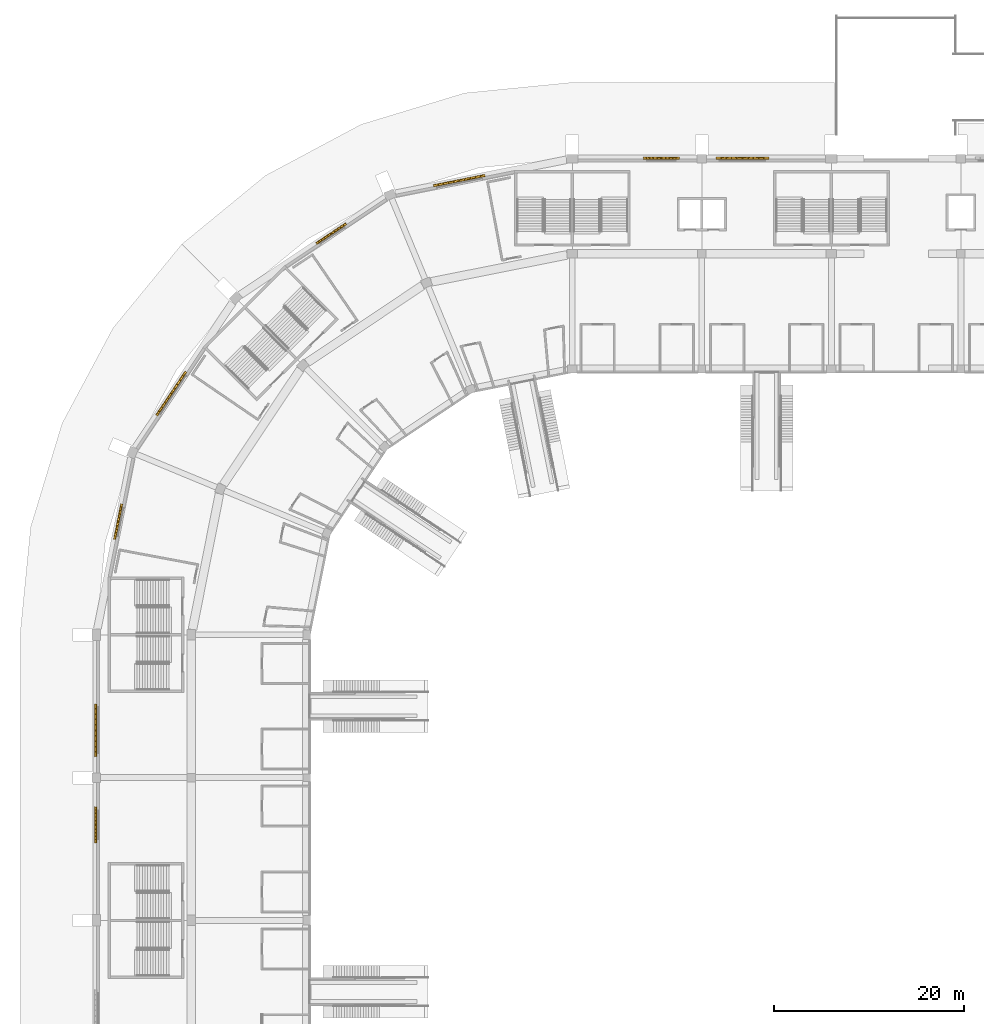
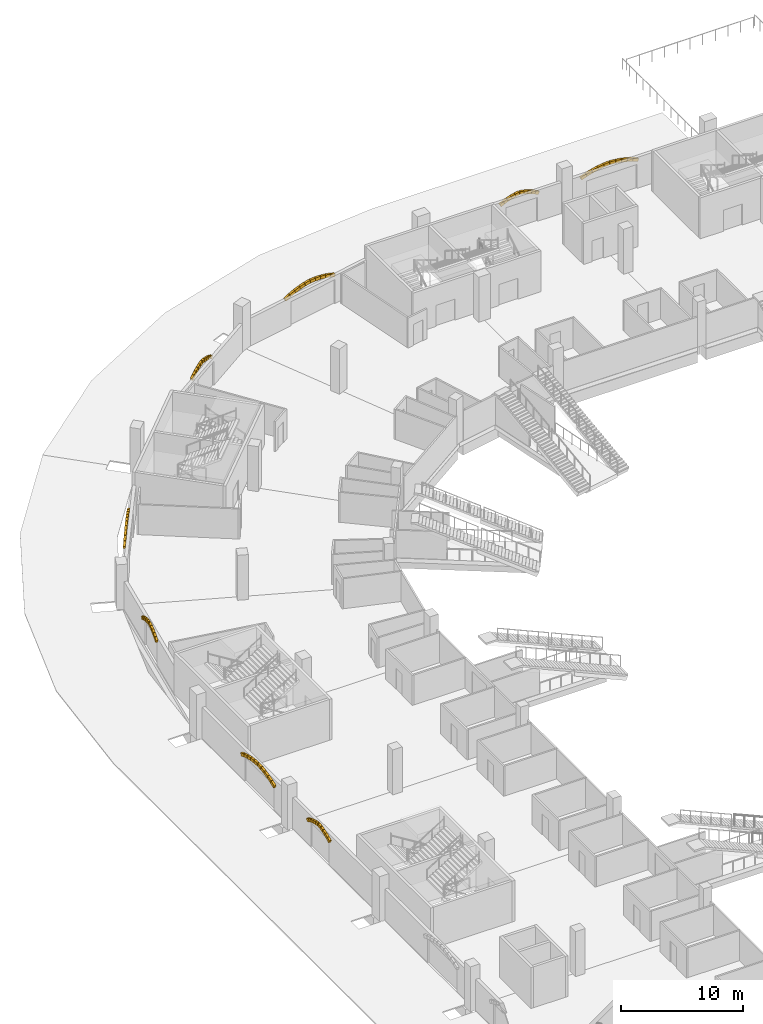
# One storey, part 173 of 175: 80 coverings.
"""IFC4 building model written with IfcOpenShell, lengths in metres."""

from ifc_helpers import new_model, si_unit, direction, frame, origin, origin_2d, place, context, subcontext, project, spatial, rectangle, extrude, material, material_profile, profile_set, type_object, element, save


model = new_model("IFC4")

# Units and contexts
model_context = context("Model", 3, precision=1e-05, world=origin(), true_north=direction((0.0, 1.0)))
body_context = subcontext(model_context, "Body", "Model", "MODEL_VIEW")
ifc_project = project(units=[si_unit("LENGTHUNIT", "METRE"), si_unit("AREAUNIT", "SQUARE_METRE"), si_unit("VOLUMEUNIT", "CUBIC_METRE"), si_unit("PLANEANGLEUNIT", "RADIAN"), si_unit("MASSUNIT", "GRAM", prefix="KILO")], contexts=[model_context])

# Site, building, storey
site_placement = place(None, origin())
site = spatial("IfcSite", under=ifc_project, at=site_placement, CompositionType="ELEMENT")
building_placement = place(site_placement, origin())
building = spatial("IfcBuilding", under=site, at=building_placement, Name="Ogive Plaza Stadium", CompositionType="ELEMENT")
storey_placement = place(building_placement, origin())
storey = spatial("IfcBuildingStorey", under=building, at=storey_placement, Name="L00", CompositionType="ELEMENT", Elevation=0.0)

# Coverings
ifc_material = material(Name="Cast stone (reconstituted limestone)", Category="masonry")
ifc_material_profile = material_profile(ifc_material, rectangle(XDim=0.199951171875, YDim=0.300048828125, at=origin_2d()), Name="Cast stone 200x300")
ifc_profile_set = profile_set([ifc_material_profile], Name="Cast stone (reconstituted limestone)")
covering_type = type_object("IfcCoveringType", Name="Portal arch rib 200x300", PredefinedType="MOLDING", material=ifc_profile_set)
covering_1_placement = place(storey_placement, frame((-84.050048828125, 30.718017578125, 2.532958984375), z_axis=(0.0, 0.885870063545, 0.463933433279), x_axis=(-1.0, 0.0, 0.0)))
element("IfcCovering", 1, at=covering_1_placement, inside=storey, type_object=covering_type, Name="PORTAL ARCH B26 1", PredefinedType="MOLDING", context=body_context, shape_type="SweptSolid", body=[
    extrude(rectangle(XDim=0.199951171875, YDim=0.300048828125, at=origin_2d()), origin(), (0.0, 0.0, 1.0), 0.3720703125),
])
covering_2_placement = place(storey_placement, frame((-84.050048828125, 31.057861328125, 2.71044921875), z_axis=(0.0, 0.918771491846, 0.394789748816), x_axis=(-1.0, 0.0, 0.0)))
element("IfcCovering", 2, at=covering_2_placement, inside=storey, type_object=covering_type, Name="PORTAL ARCH B26 2", PredefinedType="MOLDING", context=body_context, shape_type="SweptSolid", body=[
    extrude(rectangle(XDim=0.199951171875, YDim=0.300048828125, at=origin_2d()), origin(), (0.0, 0.0, 1.0), 0.372314453125),
])
for number, where, z_axis, x_axis, name in (
    (3, (-84.050048828125, 31.410400390625, 2.861572265625), (0.0, 0.946026425691, 0.324089496735), (-1.0, 0.0, 0.0), "PORTAL ARCH B26 3"),
    (4, (-84.050048828125, 31.7734375, 2.985595703125), (0.0, 0.96790236306, 0.2513265119), (-1.0, 0.0, 0.0), "PORTAL ARCH B26 4"),
):
    element("IfcCovering", number, at=place(storey_placement, frame(where, z_axis=z_axis, x_axis=x_axis)), inside=storey, type_object=covering_type, Name=name, PredefinedType="MOLDING", context=body_context, shape_type="SweptSolid", body=[
        extrude(rectangle(XDim=0.199951171875, YDim=0.300048828125, at=origin_2d()), origin(), (0.0, 0.0, 1.0), 0.3720703125),
    ])
covering_3_placement = place(storey_placement, frame((-84.050048828125, 32.14453125, 3.08154296875), z_axis=(0.0, 0.984089453269, 0.177673712083), x_axis=(-1.0, 0.0, 0.0)))
element("IfcCovering", 5, at=covering_3_placement, inside=storey, type_object=covering_type, Name="PORTAL ARCH B26 5", PredefinedType="MOLDING", context=body_context, shape_type="SweptSolid", body=[
    extrude(rectangle(XDim=0.199951171875, YDim=0.300048828125, at=origin_2d()), origin(), (0.0, 0.0, 1.0), 0.372314453125),
])
covering_4_placement = place(storey_placement, frame((-84.050048828125, 32.564208984375, 3.147705078125), z_axis=(0.0, 0.984068736563, -0.177788418406), x_axis=(-1.0, 0.0, 0.0)))
element("IfcCovering", 6, at=covering_4_placement, inside=storey, type_object=covering_type, Name="PORTAL ARCH B26 6", PredefinedType="MOLDING", context=body_context, shape_type="SweptSolid", body=[
    extrude(rectangle(XDim=0.199951171875, YDim=0.300048828125, at=origin_2d()), origin(), (0.0, 0.0, 1.0), 0.3720703125),
])
covering_5_placement = place(storey_placement, frame((-84.050048828125, 32.94140625, 3.0791015625), z_axis=(0.0, 0.967943772802, -0.251166981696), x_axis=(-1.0, 0.0, 0.0)))
element("IfcCovering", 7, at=covering_5_placement, inside=storey, type_object=covering_type, Name="PORTAL ARCH B26 7", PredefinedType="MOLDING", context=body_context, shape_type="SweptSolid", body=[
    extrude(rectangle(XDim=0.199951171875, YDim=0.300048828125, at=origin_2d()), origin(), (0.0, 0.0, 1.0), 0.372314453125),
])
for number, where, z_axis, x_axis, name in (
    (8, (-84.050048828125, 33.3125, 2.982177734375), (0.0, 0.946026425691, -0.324089496735), (-1.0, 0.0, 0.0), "PORTAL ARCH B26 8"),
    (9, (-84.050048828125, 33.67529296875, 2.857421875), (0.0, 0.91866918758, -0.395027750659), (-1.0, 0.0, 0.0), "PORTAL ARCH B26 9"),
):
    element("IfcCovering", number, at=place(storey_placement, frame(where, z_axis=z_axis, x_axis=x_axis)), inside=storey, type_object=covering_type, Name=name, PredefinedType="MOLDING", context=body_context, shape_type="SweptSolid", body=[
        extrude(rectangle(XDim=0.199951171875, YDim=0.300048828125, at=origin_2d()), origin(), (0.0, 0.0, 1.0), 0.3720703125),
    ])
covering_6_placement = place(storey_placement, frame((-84.050048828125, 34.02734375, 2.70556640625), z_axis=(0.0, 0.886011177193, -0.463663880293), x_axis=(-1.0, 0.0, 0.0)))
element("IfcCovering", 10, at=covering_6_placement, inside=storey, type_object=covering_type, Name="PORTAL ARCH B26 10", PredefinedType="MOLDING", context=body_context, shape_type="SweptSolid", body=[
    extrude(rectangle(XDim=0.199951171875, YDim=0.300048828125, at=origin_2d()), origin(), (0.0, 0.0, 1.0), 0.372314453125),
])
covering_7_placement = place(storey_placement, frame((-84.050048828125, 39.75830078125, 2.539794921875), z_axis=(0.0, 0.932339785038, 0.361583358627), x_axis=(-1.0, 0.0, 0.0)))
element("IfcCovering", 11, at=covering_7_placement, inside=storey, type_object=covering_type, Name="PORTAL ARCH B27 1", PredefinedType="MOLDING", context=body_context, shape_type="SweptSolid", body=[
    extrude(rectangle(XDim=0.199951171875, YDim=0.300048828125, at=origin_2d()), origin(), (0.0, 0.0, 1.0), 0.546142578125),
])
covering_8_placement = place(storey_placement, frame((-84.050048828125, 40.278076171875, 2.740966796875), z_axis=(0.0, 0.956375841274, 0.292139093972), x_axis=(-1.0, 0.0, 0.0)))
element("IfcCovering", 12, at=covering_8_placement, inside=storey, type_object=covering_type, Name="PORTAL ARCH B27 2", PredefinedType="MOLDING", context=body_context, shape_type="SweptSolid", body=[
    extrude(rectangle(XDim=0.199951171875, YDim=0.300048828125, at=origin_2d()), origin(), (0.0, 0.0, 1.0), 0.546630859375),
])
covering_9_placement = place(storey_placement, frame((-84.050048828125, 40.811279296875, 2.9033203125), z_axis=(0.0, 0.975242447538, 0.221138347014), x_axis=(-1.0, 0.0, 0.0)))
element("IfcCovering", 13, at=covering_9_placement, inside=storey, type_object=covering_type, Name="PORTAL ARCH B27 3", PredefinedType="MOLDING", context=body_context, shape_type="SweptSolid", body=[
    extrude(rectangle(XDim=0.199951171875, YDim=0.300048828125, at=origin_2d()), origin(), (0.0, 0.0, 1.0), 0.54638671875),
])
covering_10_placement = place(storey_placement, frame((-84.050048828125, 41.35498046875, 3.026123046875), z_axis=(0.0, 0.988942904622, 0.148296767992), x_axis=(-1.0, 0.0, 0.0)))
element("IfcCovering", 14, at=covering_10_placement, inside=storey, type_object=covering_type, Name="PORTAL ARCH B27 4", PredefinedType="MOLDING", context=body_context, shape_type="SweptSolid", body=[
    extrude(rectangle(XDim=0.199951171875, YDim=0.300048828125, at=origin_2d()), origin(), (0.0, 0.0, 1.0), 0.546630859375),
])
for number, where, z_axis, x_axis, name in (
    (15, (-84.050048828125, 41.906494140625, 3.1083984375), (0.0, 0.997143198104, 0.075534379417), (-1.0, 0.0, 0.0), "PORTAL ARCH B27 5"),
    (16, (-84.050048828125, 42.473876953125, 3.149658203125), (0.0, 0.997143198104, -0.075534379417), (-1.0, 0.0, 0.0), "PORTAL ARCH B27 6"),
):
    element("IfcCovering", number, at=place(storey_placement, frame(where, z_axis=z_axis, x_axis=x_axis)), inside=storey, type_object=covering_type, Name=name, PredefinedType="MOLDING", context=body_context, shape_type="SweptSolid", body=[
        extrude(rectangle(XDim=0.199951171875, YDim=0.300048828125, at=origin_2d()), origin(), (0.0, 0.0, 1.0), 0.546142578125),
    ])
for number, where, z_axis, x_axis, name in (
    (17, (-84.050048828125, 43.029541015625, 3.107177734375), (0.0, 0.988933074819, -0.148362304944), (-1.0, 0.0, 0.0), "PORTAL ARCH B27 7"),
    (18, (-84.050048828125, 43.580810546875, 3.024169921875), (0.0, 0.975242447538, -0.221138347014), (-1.0, 0.0, 0.0), "PORTAL ARCH B27 8"),
):
    element("IfcCovering", number, at=place(storey_placement, frame(where, z_axis=z_axis, x_axis=x_axis)), inside=storey, type_object=covering_type, Name=name, PredefinedType="MOLDING", context=body_context, shape_type="SweptSolid", body=[
        extrude(rectangle(XDim=0.199951171875, YDim=0.300048828125, at=origin_2d()), origin(), (0.0, 0.0, 1.0), 0.54638671875),
    ])
covering_11_placement = place(storey_placement, frame((-84.050048828125, 44.124267578125, 2.900634765625), z_axis=(0.0, 0.956375841274, -0.292139093972), x_axis=(-1.0, 0.0, 0.0)))
element("IfcCovering", 19, at=covering_11_placement, inside=storey, type_object=covering_type, Name="PORTAL ARCH B27 9", PredefinedType="MOLDING", context=body_context, shape_type="SweptSolid", body=[
    extrude(rectangle(XDim=0.199951171875, YDim=0.300048828125, at=origin_2d()), origin(), (0.0, 0.0, 1.0), 0.546630859375),
])
covering_12_placement = place(storey_placement, frame((-84.050048828125, 44.6572265625, 2.7373046875), z_axis=(0.0, 0.932398184034, -0.361432741199), x_axis=(-1.0, 0.0, 0.0)))
element("IfcCovering", 20, at=covering_12_placement, inside=storey, type_object=covering_type, Name="PORTAL ARCH B27 10", PredefinedType="MOLDING", context=body_context, shape_type="SweptSolid", body=[
    extrude(rectangle(XDim=0.199951171875, YDim=0.300048828125, at=origin_2d()), origin(), (0.0, 0.0, 1.0), 0.54638671875),
])
covering_13_placement = place(storey_placement, frame((-82.0439453125, 62.589599609375, 2.532958984375), z_axis=(0.172495438518, 0.86903595451, 0.463704467803), x_axis=(-0.980864363446, 0.194692322707, 0.0)))
element("IfcCovering", 21, at=covering_13_placement, inside=storey, type_object=covering_type, Name="PORTAL ARCH B28 1", PredefinedType="MOLDING", context=body_context, shape_type="SweptSolid", body=[
    extrude(rectangle(XDim=0.199951171875, YDim=0.300048828125, at=origin_2d()), origin(), (0.0, 0.0, 1.0), 0.372314453125),
])
for number, where, z_axis, x_axis, name in (
    (22, (-81.977783203125, 62.923095703125, 2.71044921875), (0.179788748999, 0.90091223495, 0.395010317145), (-0.980663002383, 0.195704051459, 0.0), "PORTAL ARCH B28 2"),
    (23, (-81.908935546875, 63.268798828125, 2.861572265625), (0.184390466473, 0.927858076845, 0.324159752448), (-0.980820050121, 0.194915441361, 0.0), "PORTAL ARCH B28 3"),
    (24, (-81.838134765625, 63.624755859375, 2.985595703125), (0.18894115676, 0.949298103584, 0.251265496664), (-0.980762733237, 0.195203640064, 0.0), "PORTAL ARCH B28 4"),
    (25, (-81.765625, 63.989013671875, 3.08154296875), (0.191602287307, 0.965229330918, 0.177822670754), (-0.980861768578, 0.194705395258, 0.0), "PORTAL ARCH B28 5"),
    (26, (-81.683837890625, 64.400390625, 3.147705078125), (0.192234251186, 0.965107793495, -0.177800280107), (-0.980734230685, 0.19534679102, 0.0), "PORTAL ARCH B28 6"),
    (27, (-81.6103515625, 64.7705078125, 3.0791015625), (0.18894115676, 0.949298103584, -0.251265496664), (-0.980762733237, 0.195203640064, 0.0), "PORTAL ARCH B28 7"),
    (28, (-81.537841796875, 65.134521484375, 2.982177734375), (0.184390466473, 0.927858076845, -0.324159752448), (-0.980820050121, 0.194915441361, 0.0), "PORTAL ARCH B28 8"),
):
    element("IfcCovering", number, at=place(storey_placement, frame(where, z_axis=z_axis, x_axis=x_axis)), inside=storey, type_object=covering_type, Name=name, PredefinedType="MOLDING", context=body_context, shape_type="SweptSolid", body=[
        extrude(rectangle(XDim=0.199951171875, YDim=0.300048828125, at=origin_2d()), origin(), (0.0, 0.0, 1.0), 0.3720703125),
    ])
for number, where, z_axis, x_axis, name in (
    (29, (-81.467041015625, 65.489990234375, 2.857421875), (0.179047807757, 0.901141713766, -0.394823370951), (-0.98082699853, 0.194880473507, 0.0), "PORTAL ARCH B28 9"),
    (30, (-81.3984375, 65.83544921875, 2.70556640625), (0.173131691217, 0.868937465388, -0.463651915494), (-0.98072275744, 0.195404383369, 0.0), "PORTAL ARCH B28 10"),
):
    element("IfcCovering", number, at=place(storey_placement, frame(where, z_axis=z_axis, x_axis=x_axis)), inside=storey, type_object=covering_type, Name=name, PredefinedType="MOLDING", context=body_context, shape_type="SweptSolid", body=[
        extrude(rectangle(XDim=0.199951171875, YDim=0.300048828125, at=origin_2d()), origin(), (0.0, 0.0, 1.0), 0.372314453125),
    ])
covering_14_placement = place(storey_placement, frame((-77.6201171875, 75.576416015625, 2.539794921875), z_axis=(0.518233953801, 0.77511716366, 0.361423507436), x_axis=(-0.831312417178, 0.55580542013, 0.0)))
element("IfcCovering", 31, at=covering_14_placement, inside=storey, type_object=covering_type, Name="PORTAL ARCH B29 1", PredefinedType="MOLDING", context=body_context, shape_type="SweptSolid", body=[
    extrude(rectangle(XDim=0.199951171875, YDim=0.300048828125, at=origin_2d()), origin(), (0.0, 0.0, 1.0), 0.54638671875),
])
covering_15_placement = place(storey_placement, frame((-77.331298828125, 76.008544921875, 2.740966796875), z_axis=(0.531535251305, 0.795069535565, 0.292121054079), x_axis=(-0.831331073324, 0.555777515312, 0.0)))
element("IfcCovering", 32, at=covering_15_placement, inside=storey, type_object=covering_type, Name="PORTAL ARCH B29 2", PredefinedType="MOLDING", context=body_context, shape_type="SweptSolid", body=[
    extrude(rectangle(XDim=0.199951171875, YDim=0.300048828125, at=origin_2d()), origin(), (0.0, 0.0, 1.0), 0.546630859375),
])
for number, where, z_axis, x_axis, name in (
    (33, (-77.034912109375, 76.451904296875, 2.9033203125), (0.54189495829, 0.81083210989, 0.22113602997), (-0.831415485573, 0.555651230854, 0.0), "PORTAL ARCH B29 3"),
    (34, (-76.73291015625, 76.904052734375, 3.026123046875), (0.549593466086, 0.822156079348, 0.148345553448), (-0.831354528555, 0.555742429414, 0.0), "PORTAL ARCH B29 4"),
    (35, (-76.426513671875, 77.362548828125, 3.1083984375), (0.55414679151, 0.828985724395, 0.075524844972), (-0.831360155258, 0.55573401214, 0.0), "PORTAL ARCH B29 5"),
):
    element("IfcCovering", number, at=place(storey_placement, frame(where, z_axis=z_axis, x_axis=x_axis)), inside=storey, type_object=covering_type, Name=name, PredefinedType="MOLDING", context=body_context, shape_type="SweptSolid", body=[
        extrude(rectangle(XDim=0.199951171875, YDim=0.300048828125, at=origin_2d()), origin(), (0.0, 0.0, 1.0), 0.54638671875),
    ])
covering_16_placement = place(storey_placement, frame((-76.111328125, 77.834228515625, 3.149658203125), z_axis=(0.553941556835, 0.829125427005, -0.075496873472), x_axis=(-0.831498491688, 0.555527009533, 0.0)))
element("IfcCovering", 36, at=covering_16_placement, inside=storey, type_object=covering_type, Name="PORTAL ARCH B29 6", PredefinedType="MOLDING", context=body_context, shape_type="SweptSolid", body=[
    extrude(rectangle(XDim=0.199951171875, YDim=0.300048828125, at=origin_2d()), origin(), (0.0, 0.0, 1.0), 0.546630859375),
])
covering_17_placement = place(storey_placement, frame((-75.802490234375, 78.29638671875, 3.107177734375), z_axis=(0.549281491744, 0.82235796974, -0.148381981496), x_axis=(-0.831563273147, 0.555430034075, 0.0)))
element("IfcCovering", 37, at=covering_17_placement, inside=storey, type_object=covering_type, Name="PORTAL ARCH B29 7", PredefinedType="MOLDING", context=body_context, shape_type="SweptSolid", body=[
    extrude(rectangle(XDim=0.199951171875, YDim=0.300048828125, at=origin_2d()), origin(), (0.0, 0.0, 1.0), 0.546142578125),
])
for number, where, z_axis, x_axis, name in (
    (38, (-75.496337890625, 78.754638671875, 3.024169921875), (0.54189495829, 0.81083210989, -0.22113602997), (-0.831415485573, 0.555651230854, 0.0), "PORTAL ARCH B29 8"),
    (39, (-75.1943359375, 79.20654296875, 2.900634765625), (0.531214665949, 0.795258288805, -0.292190404988), (-0.831546855489, 0.555454613021, 0.0), "PORTAL ARCH B29 9"),
    (40, (-74.898193359375, 79.64990234375, 2.7373046875), (0.517907069868, 0.775296605885, -0.361507178191), (-0.831533797008, 0.555474161805, 0.0), "PORTAL ARCH B29 10"),
):
    element("IfcCovering", number, at=place(storey_placement, frame(where, z_axis=z_axis, x_axis=x_axis)), inside=storey, type_object=covering_type, Name=name, PredefinedType="MOLDING", context=body_context, shape_type="SweptSolid", body=[
        extrude(rectangle(XDim=0.199951171875, YDim=0.300048828125, at=origin_2d()), origin(), (0.0, 0.0, 1.0), 0.54638671875),
    ])
covering_18_placement = place(storey_placement, frame((-60.837890625, 93.606689453125, 2.532958984375), z_axis=(0.736733594682, 0.492030450589, 0.463820704755), x_axis=(-0.555383558036, 0.831594314232, 0.0)))
element("IfcCovering", 41, at=covering_18_placement, inside=storey, type_object=covering_type, Name="PORTAL ARCH B30 1", PredefinedType="MOLDING", context=body_context, shape_type="SweptSolid", body=[
    extrude(rectangle(XDim=0.199951171875, YDim=0.300048828125, at=origin_2d()), origin(), (0.0, 0.0, 1.0), 0.3720703125),
])
covering_19_placement = place(storey_placement, frame((-60.55517578125, 93.795654296875, 2.71044921875), z_axis=(0.764051393977, 0.510242046793, 0.394814540064), x_axis=(-0.55535894134, 0.831610754063, 0.0)))
element("IfcCovering", 42, at=covering_19_placement, inside=storey, type_object=covering_type, Name="PORTAL ARCH B30 2", PredefinedType="MOLDING", context=body_context, shape_type="SweptSolid", body=[
    extrude(rectangle(XDim=0.199951171875, YDim=0.300048828125, at=origin_2d()), origin(), (0.0, 0.0, 1.0), 0.372314453125),
])
covering_20_placement = place(storey_placement, frame((-60.261962890625, 93.991455078125, 2.861572265625), z_axis=(0.786633308415, 0.525515663086, 0.324100795961), x_axis=(-0.555500141576, 0.831516441635, 0.0)))
element("IfcCovering", 43, at=covering_20_placement, inside=storey, type_object=covering_type, Name="PORTAL ARCH B30 3", PredefinedType="MOLDING", context=body_context, shape_type="SweptSolid", body=[
    extrude(rectangle(XDim=0.199951171875, YDim=0.300048828125, at=origin_2d()), origin(), (0.0, 0.0, 1.0), 0.3720703125),
])
covering_21_placement = place(storey_placement, frame((-59.960205078125, 94.193115234375, 2.985595703125), z_axis=(0.804817202858, 0.537638898157, 0.251423318674), x_axis=(-0.555482541093, 0.831528199487, 0.0)))
element("IfcCovering", 44, at=covering_21_placement, inside=storey, type_object=covering_type, Name="PORTAL ARCH B30 4", PredefinedType="MOLDING", context=body_context, shape_type="SweptSolid", body=[
    extrude(rectangle(XDim=0.199951171875, YDim=0.300048828125, at=origin_2d()), origin(), (0.0, 0.0, 1.0), 0.371826171875),
])
covering_22_placement = place(storey_placement, frame((-59.651611328125, 94.3994140625, 3.08154296875), z_axis=(0.818499863145, 0.546322424679, 0.177735146564), x_axis=(-0.555161506596, 0.831742569305, 0.0)))
element("IfcCovering", 45, at=covering_22_placement, inside=storey, type_object=covering_type, Name="PORTAL ARCH B30 5", PredefinedType="MOLDING", context=body_context, shape_type="SweptSolid", body=[
    extrude(rectangle(XDim=0.199951171875, YDim=0.300048828125, at=origin_2d()), origin(), (0.0, 0.0, 1.0), 0.372314453125),
])
covering_23_placement = place(storey_placement, frame((-59.302734375, 94.63232421875, 3.147705078125), z_axis=(0.817989692207, 0.547075704331, -0.177766805604), x_axis=(-0.555930204256, 0.831228974469, 0.0)))
element("IfcCovering", 46, at=covering_23_placement, inside=storey, type_object=covering_type, Name="PORTAL ARCH B30 6", PredefinedType="MOLDING", context=body_context, shape_type="SweptSolid", body=[
    extrude(rectangle(XDim=0.199951171875, YDim=0.300048828125, at=origin_2d()), origin(), (0.0, 0.0, 1.0), 0.3720703125),
])
for number, where, z_axis, x_axis, name in (
    (47, (-58.989013671875, 94.842041015625, 3.0791015625), (0.804764415052, 0.537821369472, -0.251201932327), (-0.555638069208, 0.831424281608, 0.0), "PORTAL ARCH B30 7"),
    (48, (-58.680419921875, 95.048095703125, 2.982177734375), (0.786362066074, 0.525990306081, -0.323989041402), (-0.555979369769, 0.831196090216, 0.0), "PORTAL ARCH B30 8"),
):
    element("IfcCovering", number, at=place(storey_placement, frame(where, z_axis=z_axis, x_axis=x_axis)), inside=storey, type_object=covering_type, Name=name, PredefinedType="MOLDING", context=body_context, shape_type="SweptSolid", body=[
        extrude(rectangle(XDim=0.199951171875, YDim=0.300048828125, at=origin_2d()), origin(), (0.0, 0.0, 1.0), 0.372314453125),
    ])
for number, where, z_axis, x_axis, name in (
    (49, (-58.37890625, 95.249755859375, 2.857421875), (0.763778212162, 0.510497808472, -0.39501244306), (-0.555688769979, 0.831390396215, 0.0), "PORTAL ARCH B30 9"),
    (50, (-58.086181640625, 95.4453125, 2.70556640625), (0.736733594682, 0.492030450589, -0.463820704755), (-0.555383558036, 0.831594314232, 0.0), "PORTAL ARCH B30 10"),
):
    element("IfcCovering", number, at=place(storey_placement, frame(where, z_axis=z_axis, x_axis=x_axis)), inside=storey, type_object=covering_type, Name=name, PredefinedType="MOLDING", context=body_context, shape_type="SweptSolid", body=[
        extrude(rectangle(XDim=0.199951171875, YDim=0.300048828125, at=origin_2d()), origin(), (0.0, 0.0, 1.0), 0.3720703125),
    ])
for number, where, z_axis, x_axis, name in (
    (51, (-48.526611328125, 99.661376953125, 2.539794921875), (0.914501215455, 0.181828038442, 0.361422317197), (-0.195010300946, 0.98080119419, 0.0), "PORTAL ARCH B31 1"),
    (52, (-48.0166015625, 99.762939453125, 2.740966796875), (0.938006906092, 0.1863501095, 0.292261322813), (-0.194857898384, 0.98083148371, 0.0), "PORTAL ARCH B31 2"),
    (53, (-47.49365234375, 99.866943359375, 2.9033203125), (0.956491793133, 0.190315508582, 0.221141259972), (-0.195146999561, 0.980774004836, 0.0), "PORTAL ARCH B31 3"),
    (54, (-46.96044921875, 99.972900390625, 3.026123046875), (0.969922653999, 0.193001652016, 0.148325343679), (-0.19516039548, 0.980771339322, 0.0), "PORTAL ARCH B31 4"),
    (55, (-46.419677734375, 100.08056640625, 3.1083984375), (0.97802119736, 0.194353230174, 0.075507346895), (-0.194909649379, 0.980821201126, 0.0), "PORTAL ARCH B31 5"),
    (56, (-45.86328125, 100.191162109375, 3.149658203125), (0.977936184464, 0.194783086536, -0.075500783542), (-0.195340639029, 0.980735456045, 0.0), "PORTAL ARCH B31 6"),
    (57, (-45.318115234375, 100.299560546875, 3.107177734375), (0.969922653999, 0.193001652016, -0.148325343679), (-0.19516039548, 0.980771339322, 0.0), "PORTAL ARCH B31 7"),
):
    element("IfcCovering", number, at=place(storey_placement, frame(where, z_axis=z_axis, x_axis=x_axis)), inside=storey, type_object=covering_type, Name=name, PredefinedType="MOLDING", context=body_context, shape_type="SweptSolid", body=[
        extrude(rectangle(XDim=0.199951171875, YDim=0.300048828125, at=origin_2d()), origin(), (0.0, 0.0, 1.0), 0.54638671875),
    ])
covering_24_placement = place(storey_placement, frame((-44.77734375, 100.4072265625, 3.024169921875), z_axis=(0.956453739841, 0.190396865968, -0.221235794963), x_axis=(-0.195234714669, 0.980756547869, 0.0)))
element("IfcCovering", 58, at=covering_24_placement, inside=storey, type_object=covering_type, Name="PORTAL ARCH B31 8", PredefinedType="MOLDING", context=body_context, shape_type="SweptSolid", body=[
    extrude(rectangle(XDim=0.199951171875, YDim=0.300048828125, at=origin_2d()), origin(), (0.0, 0.0, 1.0), 0.546142578125),
])
for number, where, z_axis, x_axis, name in (
    (59, (-44.244384765625, 100.51318359375, 2.900634765625), (0.937928708137, 0.186781419724, -0.292236958133), (-0.195307379443, 0.980742080027, 0.0), "PORTAL ARCH B31 9"),
    (60, (-43.7216796875, 100.6171875, 2.7373046875), (0.914501215455, 0.181828038442, -0.361422317197), (-0.195010300946, 0.98080119419, 0.0), "PORTAL ARCH B31 10"),
):
    element("IfcCovering", number, at=place(storey_placement, frame(where, z_axis=z_axis, x_axis=x_axis)), inside=storey, type_object=covering_type, Name=name, PredefinedType="MOLDING", context=body_context, shape_type="SweptSolid", body=[
        extrude(rectangle(XDim=0.199951171875, YDim=0.300048828125, at=origin_2d()), origin(), (0.0, 0.0, 1.0), 0.54638671875),
    ])
covering_25_placement = place(storey_placement, frame((-26.482177734375, 102.550048828125, 2.532958984375), z_axis=(0.886011177193, 0.0, 0.463663880293), x_axis=(0.0, 1.0, 0.0)))
element("IfcCovering", 61, at=covering_25_placement, inside=storey, type_object=covering_type, Name="PORTAL ARCH B32 1", PredefinedType="MOLDING", context=body_context, shape_type="SweptSolid", body=[
    extrude(rectangle(XDim=0.199951171875, YDim=0.300048828125, at=origin_2d()), origin(), (0.0, 0.0, 1.0), 0.372314453125),
])
for number, where, z_axis, x_axis, name in (
    (62, (-26.14208984375, 102.550048828125, 2.71044921875), (0.91866918758, 0.0, 0.395027750659), (0.0, 1.0, 0.0), "PORTAL ARCH B32 2"),
    (63, (-25.78955078125, 102.550048828125, 2.861572265625), (0.946026425691, 0.0, 0.324089496735), (0.0, 1.0, 0.0), "PORTAL ARCH B32 3"),
):
    element("IfcCovering", number, at=place(storey_placement, frame(where, z_axis=z_axis, x_axis=x_axis)), inside=storey, type_object=covering_type, Name=name, PredefinedType="MOLDING", context=body_context, shape_type="SweptSolid", body=[
        extrude(rectangle(XDim=0.199951171875, YDim=0.300048828125, at=origin_2d()), origin(), (0.0, 0.0, 1.0), 0.3720703125),
    ])
covering_26_placement = place(storey_placement, frame((-25.4267578125, 102.550048828125, 2.985595703125), z_axis=(0.967943772802, 0.0, 0.251166981696), x_axis=(0.0, 1.0, 0.0)))
element("IfcCovering", 64, at=covering_26_placement, inside=storey, type_object=covering_type, Name="PORTAL ARCH B32 4", PredefinedType="MOLDING", context=body_context, shape_type="SweptSolid", body=[
    extrude(rectangle(XDim=0.199951171875, YDim=0.300048828125, at=origin_2d()), origin(), (0.0, 0.0, 1.0), 0.372314453125),
])
covering_27_placement = place(storey_placement, frame((-25.055419921875, 102.550048828125, 3.08154296875), z_axis=(0.984068736563, 0.0, 0.177788418406), x_axis=(0.0, 1.0, 0.0)))
element("IfcCovering", 65, at=covering_27_placement, inside=storey, type_object=covering_type, Name="PORTAL ARCH B32 5", PredefinedType="MOLDING", context=body_context, shape_type="SweptSolid", body=[
    extrude(rectangle(XDim=0.199951171875, YDim=0.300048828125, at=origin_2d()), origin(), (0.0, 0.0, 1.0), 0.3720703125),
])
covering_28_placement = place(storey_placement, frame((-24.635986328125, 102.550048828125, 3.147705078125), z_axis=(0.984089453269, 0.0, -0.177673712083), x_axis=(0.0, 1.0, 0.0)))
element("IfcCovering", 66, at=covering_28_placement, inside=storey, type_object=covering_type, Name="PORTAL ARCH B32 6", PredefinedType="MOLDING", context=body_context, shape_type="SweptSolid", body=[
    extrude(rectangle(XDim=0.199951171875, YDim=0.300048828125, at=origin_2d()), origin(), (0.0, 0.0, 1.0), 0.372314453125),
])
for number, where, z_axis, x_axis, name in (
    (67, (-24.258544921875, 102.550048828125, 3.0791015625), (0.96790236306, 0.0, -0.2513265119), (0.0, 1.0, 0.0), "PORTAL ARCH B32 7"),
    (68, (-23.887451171875, 102.550048828125, 2.982177734375), (0.946026425691, 0.0, -0.324089496735), (0.0, 1.0, 0.0), "PORTAL ARCH B32 8"),
):
    element("IfcCovering", number, at=place(storey_placement, frame(where, z_axis=z_axis, x_axis=x_axis)), inside=storey, type_object=covering_type, Name=name, PredefinedType="MOLDING", context=body_context, shape_type="SweptSolid", body=[
        extrude(rectangle(XDim=0.199951171875, YDim=0.300048828125, at=origin_2d()), origin(), (0.0, 0.0, 1.0), 0.3720703125),
    ])
covering_29_placement = place(storey_placement, frame((-23.52490234375, 102.550048828125, 2.857421875), z_axis=(0.918771491846, 0.0, -0.394789748816), x_axis=(0.0, 1.0, 0.0)))
element("IfcCovering", 69, at=covering_29_placement, inside=storey, type_object=covering_type, Name="PORTAL ARCH B32 9", PredefinedType="MOLDING", context=body_context, shape_type="SweptSolid", body=[
    extrude(rectangle(XDim=0.199951171875, YDim=0.300048828125, at=origin_2d()), origin(), (0.0, 0.0, 1.0), 0.372314453125),
])
covering_30_placement = place(storey_placement, frame((-23.172607421875, 102.550048828125, 2.70556640625), z_axis=(0.885870063545, 0.0, -0.463933433279), x_axis=(0.0, 1.0, 0.0)))
element("IfcCovering", 70, at=covering_30_placement, inside=storey, type_object=covering_type, Name="PORTAL ARCH B32 10", PredefinedType="MOLDING", context=body_context, shape_type="SweptSolid", body=[
    extrude(rectangle(XDim=0.199951171875, YDim=0.300048828125, at=origin_2d()), origin(), (0.0, 0.0, 1.0), 0.3720703125),
])
for number, where, z_axis, x_axis, name in (
    (71, (-18.841796875, 102.550048828125, 2.539794921875), (0.932398184034, 0.0, 0.361432741199), (0.0, 1.0, 0.0), "PORTAL ARCH B33 1"),
    (72, (-18.32177734375, 102.550048828125, 2.740966796875), (0.956337693461, 0.0, 0.29226394931), (0.0, 1.0, 0.0), "PORTAL ARCH B33 2"),
):
    element("IfcCovering", number, at=place(storey_placement, frame(where, z_axis=z_axis, x_axis=x_axis)), inside=storey, type_object=covering_type, Name=name, PredefinedType="MOLDING", context=body_context, shape_type="SweptSolid", body=[
        extrude(rectangle(XDim=0.199951171875, YDim=0.300048828125, at=origin_2d()), origin(), (0.0, 0.0, 1.0), 0.54638671875),
    ])
covering_31_placement = place(storey_placement, frame((-17.78857421875, 102.550048828125, 2.9033203125), z_axis=(0.975220586495, 0.0, 0.221234734333), x_axis=(0.0, 1.0, 0.0)))
element("IfcCovering", 73, at=covering_31_placement, inside=storey, type_object=covering_type, Name="PORTAL ARCH B33 3", PredefinedType="MOLDING", context=body_context, shape_type="SweptSolid", body=[
    extrude(rectangle(XDim=0.199951171875, YDim=0.300048828125, at=origin_2d()), origin(), (0.0, 0.0, 1.0), 0.546142578125),
])
for number, where, z_axis, x_axis, name in (
    (74, (-17.244873046875, 102.550048828125, 3.026123046875), (0.988933074819, 0.0, 0.148362304944), (0.0, 1.0, 0.0), "PORTAL ARCH B33 4"),
    (75, (-16.693603515625, 102.550048828125, 3.1083984375), (0.997145746443, 0.0, 0.075500730801), (0.0, 1.0, 0.0), "PORTAL ARCH B33 5"),
    (76, (-16.126220703125, 102.550048828125, 3.149658203125), (0.997145746443, 0.0, -0.075500730801), (0.0, 1.0, 0.0), "PORTAL ARCH B33 6"),
    (77, (-15.5703125, 102.550048828125, 3.107177734375), (0.988933074819, 0.0, -0.148362304944), (0.0, 1.0, 0.0), "PORTAL ARCH B33 7"),
    (78, (-15.019287109375, 102.550048828125, 3.024169921875), (0.975242447538, 0.0, -0.221138347014), (0.0, 1.0, 0.0), "PORTAL ARCH B33 8"),
    (79, (-14.4755859375, 102.550048828125, 2.900634765625), (0.956337693461, 0.0, -0.29226394931), (0.0, 1.0, 0.0), "PORTAL ARCH B33 9"),
):
    element("IfcCovering", number, at=place(storey_placement, frame(where, z_axis=z_axis, x_axis=x_axis)), inside=storey, type_object=covering_type, Name=name, PredefinedType="MOLDING", context=body_context, shape_type="SweptSolid", body=[
        extrude(rectangle(XDim=0.199951171875, YDim=0.300048828125, at=origin_2d()), origin(), (0.0, 0.0, 1.0), 0.54638671875),
    ])
covering_32_placement = place(storey_placement, frame((-13.942626953125, 102.550048828125, 2.7373046875), z_axis=(0.932339785038, 0.0, -0.361583358627), x_axis=(0.0, 1.0, 0.0)))
element("IfcCovering", 80, at=covering_32_placement, inside=storey, type_object=covering_type, Name="PORTAL ARCH B33 10", PredefinedType="MOLDING", context=body_context, shape_type="SweptSolid", body=[
    extrude(rectangle(XDim=0.199951171875, YDim=0.300048828125, at=origin_2d()), origin(), (0.0, 0.0, 1.0), 0.546142578125),
])

save(model, "model.ifc")
